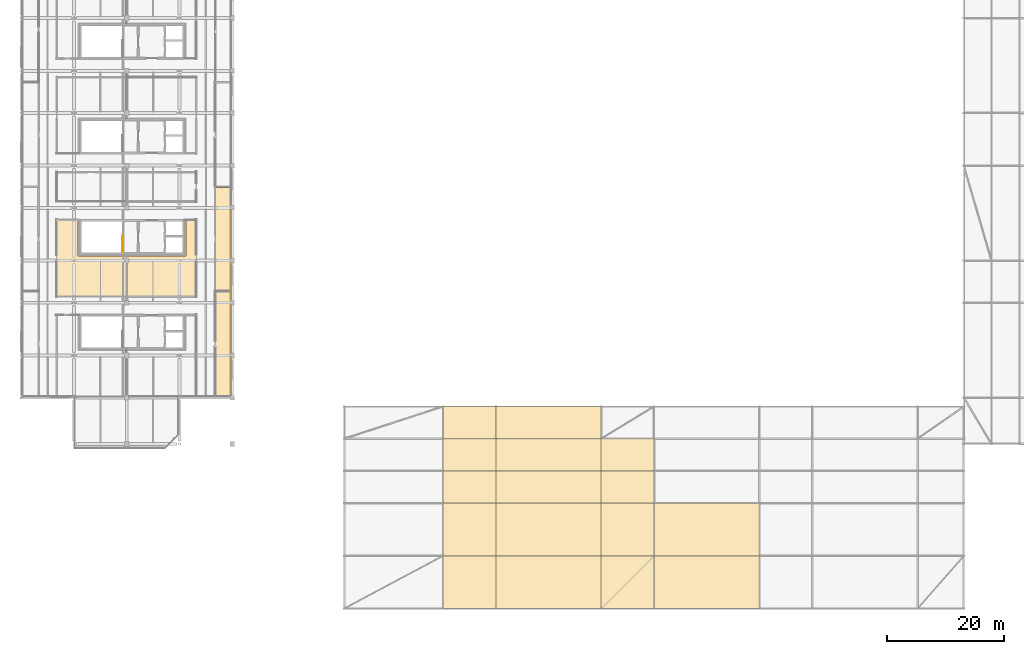
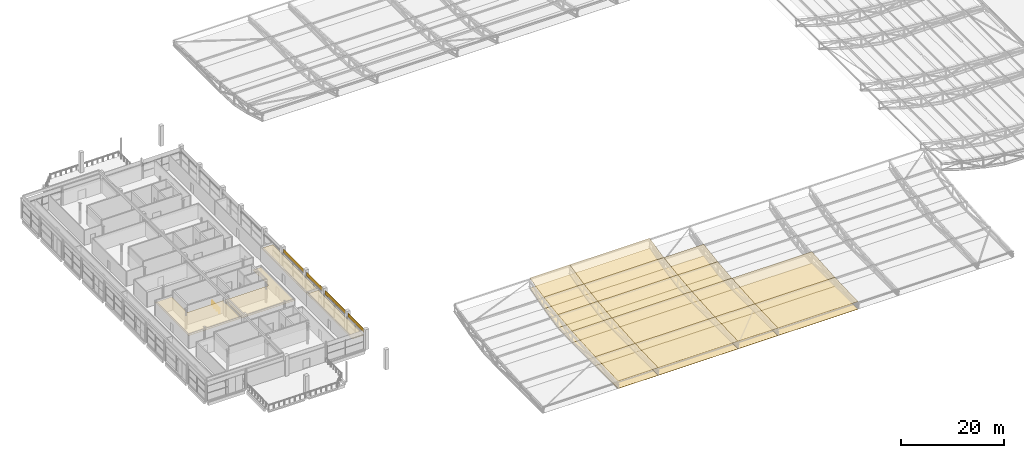
# One storey, part 108 of 114: 40 coverings, 1 railing, 2 elements without a shape of their own.
"""IFC4 building model written with IfcOpenShell, lengths in metres."""

from ifc_helpers import new_model, si_unit, direction, frame, origin, origin_2d, place, context, subcontext, project, spatial, polyline, rectangle, circle, outline, extrude, material, layer, layer_set, type_object, element, aggregate, save


model = new_model("IFC4")

# Units and contexts
model_context = context("Model", 3, precision=1e-05, world=origin(), true_north=direction((0.0, 1.0)))
body_context = subcontext(model_context, "Body", "Model", "MODEL_VIEW")
ifc_project = project(units=[si_unit("LENGTHUNIT", "METRE"), si_unit("AREAUNIT", "SQUARE_METRE"), si_unit("VOLUMEUNIT", "CUBIC_METRE"), si_unit("PLANEANGLEUNIT", "RADIAN"), si_unit("MASSUNIT", "GRAM", prefix="KILO"), si_unit("THERMODYNAMICTEMPERATUREUNIT", "KELVIN"), si_unit("POWERUNIT", "WATT")], contexts=[model_context])

# Site, building, storey
site_placement = place(None, origin())
site = spatial("IfcSite", under=ifc_project, at=site_placement, CompositionType="ELEMENT")
building_placement = place(site_placement, origin())
building = spatial("IfcBuilding", under=site, at=building_placement, Name="Sindhuravela Promenade Stadium", CompositionType="ELEMENT")
storey_placement = place(building_placement, frame((0.0, 0.0, 24.0)))
storey = spatial("IfcBuildingStorey", under=building, at=storey_placement, Name="L05", CompositionType="ELEMENT", Elevation=24.0)

# Coverings
ifc_material_1 = material(Name="Acoustic mineral-fibre ceiling tile", Category="gypsum")
ifc_layer_1 = layer(ifc_material_1, 0.02490234375)
ifc_layer_set_1 = layer_set([ifc_layer_1], Name="Acoustic mineral-fibre ceiling tile")
covering_type_1 = type_object("IfcCoveringType", Name="CV-CEIL-1", PredefinedType="CEILING", material=ifc_layer_set_1)
covering_1_placement = place(storey_placement, frame((0.0, 0.0, 3.050048828125)))
element("IfcCovering", 1, at=covering_1_placement, inside=storey, type_object=covering_type_1, Name="Acoustic ceiling Match Commentary Boxes 6", PredefinedType="CEILING", context=body_context, shape_type="SweptSolid", body=[
    extrude(outline(polyline([(35.699951171875, 45.320068359375), (35.699951171875, 45.318115234375), (35.69970703125, 45.316162109375), (35.69921875, 45.314208984375), (35.698486328125, 45.312255859375), (35.697509765625, 45.310546875), (35.696533203125, 45.308837890625), (35.695556640625, 45.307373046875), (35.694091796875, 45.305908203125), (35.692626953125, 45.304443359375), (35.691162109375, 45.303466796875), (35.689453125, 45.302490234375), (35.687744140625, 45.301513671875), (35.685791015625, 45.30078125), (35.683837890625, 45.30029296875), (35.681884765625, 45.300048828125), (35.679931640625, 45.300048828125), (33.139892578125, 45.300048828125), (33.137939453125, 45.300048828125), (33.135986328125, 45.30029296875), (33.13427734375, 45.30078125), (33.13232421875, 45.301513671875), (33.130615234375, 45.302490234375), (33.12890625, 45.303466796875), (33.127197265625, 45.304443359375), (33.1259765625, 45.305908203125), (33.12451171875, 45.307373046875), (33.123291015625, 45.308837890625), (33.122314453125, 45.310546875), (33.12158203125, 45.312255859375), (33.120849609375, 45.314208984375), (33.120361328125, 45.316162109375), (33.1201171875, 45.318115234375), (33.1201171875, 45.320068359375), (33.1201171875, 63.0400390625), (33.1201171875, 63.0419921875), (33.120361328125, 63.0439453125), (33.120849609375, 63.0458984375), (33.12158203125, 63.047607421875), (33.122314453125, 63.04931640625), (33.123291015625, 63.051025390625), (33.12451171875, 63.052734375), (33.1259765625, 63.05419921875), (33.127197265625, 63.055419921875), (33.12890625, 63.056640625), (33.130615234375, 63.0576171875), (33.13232421875, 63.05859375), (33.13427734375, 63.05908203125), (33.135986328125, 63.0595703125), (33.137939453125, 63.059814453125), (33.139892578125, 63.06005859375), (35.679931640625, 63.06005859375), (35.681884765625, 63.059814453125), (35.683837890625, 63.0595703125), (35.685791015625, 63.05908203125), (35.687744140625, 63.05859375), (35.689453125, 63.0576171875), (35.691162109375, 63.056640625), (35.692626953125, 63.055419921875), (35.694091796875, 63.05419921875), (35.695556640625, 63.052734375), (35.696533203125, 63.051025390625), (35.697509765625, 63.04931640625), (35.698486328125, 63.047607421875), (35.69921875, 63.0458984375), (35.69970703125, 63.0439453125), (35.699951171875, 63.0419921875), (35.699951171875, 63.0400390625), (35.699951171875, 45.320068359375)])), origin(), (0.0, 0.0, 1.0), 0.02490234375),
])
covering_2_placement = place(storey_placement, frame((0.0, 0.0, 3.050048828125)))
element("IfcCovering", 2, at=covering_2_placement, inside=storey, type_object=covering_type_1, Name="Acoustic ceiling Broadcast Technical Rack Room 8", PredefinedType="CEILING", context=body_context, shape_type="SweptSolid", body=[
    extrude(outline(polyline([(35.699951171875, 63.280029296875), (35.699951171875, 63.278076171875), (35.69970703125, 63.276123046875), (35.69921875, 63.274169921875), (35.698486328125, 63.272216796875), (35.697509765625, 63.2705078125), (35.696533203125, 63.268798828125), (35.695556640625, 63.267333984375), (35.694091796875, 63.265869140625), (35.692626953125, 63.264404296875), (35.691162109375, 63.263427734375), (35.689453125, 63.262451171875), (35.687744140625, 63.261474609375), (35.685791015625, 63.260986328125), (35.683837890625, 63.260498046875), (35.681884765625, 63.260009765625), (35.679931640625, 63.260009765625), (33.139892578125, 63.260009765625), (33.137939453125, 63.260009765625), (33.135986328125, 63.260498046875), (33.13427734375, 63.260986328125), (33.13232421875, 63.261474609375), (33.130615234375, 63.262451171875), (33.12890625, 63.263427734375), (33.127197265625, 63.264404296875), (33.1259765625, 63.265869140625), (33.12451171875, 63.267333984375), (33.123291015625, 63.268798828125), (33.122314453125, 63.2705078125), (33.12158203125, 63.272216796875), (33.120849609375, 63.274169921875), (33.120361328125, 63.276123046875), (33.1201171875, 63.278076171875), (33.1201171875, 63.280029296875), (33.1201171875, 80.8798828125), (33.1201171875, 80.882080078125), (33.120361328125, 80.8837890625), (33.120849609375, 80.8857421875), (33.12158203125, 80.8876953125), (33.122314453125, 80.889404296875), (33.123291015625, 80.89111328125), (33.12451171875, 80.892578125), (33.1259765625, 80.89404296875), (33.127197265625, 80.8955078125), (33.12890625, 80.896484375), (33.130615234375, 80.897705078125), (33.13232421875, 80.8984375), (33.13427734375, 80.899169921875), (33.135986328125, 80.899658203125), (33.137939453125, 80.89990234375), (33.139892578125, 80.89990234375), (35.679931640625, 80.89990234375), (35.681884765625, 80.89990234375), (35.683837890625, 80.899658203125), (35.685791015625, 80.899169921875), (35.687744140625, 80.8984375), (35.689453125, 80.897705078125), (35.691162109375, 80.896484375), (35.692626953125, 80.8955078125), (35.694091796875, 80.89404296875), (35.695556640625, 80.892578125), (35.696533203125, 80.89111328125), (35.697509765625, 80.889404296875), (35.698486328125, 80.8876953125), (35.69921875, 80.8857421875), (35.69970703125, 80.8837890625), (35.699951171875, 80.882080078125), (35.699951171875, 80.8798828125), (35.699951171875, 63.280029296875)])), origin(), (0.0, 0.0, 1.0), 0.02490234375),
])
ifc_layer_2 = layer(ifc_material_1, 0.044921875)
ifc_layer_set_2 = layer_set([ifc_layer_2], Name="Acoustic mineral-fibre ceiling tile")
covering_type_2 = type_object("IfcCoveringType", Name="CV-CEIL-2", PredefinedType="CEILING", material=ifc_layer_set_2)
covering_3_placement = place(storey_placement, frame((0.0, 0.0, 3.050048828125)))
element("IfcCovering", 3, at=covering_3_placement, inside=storey, type_object=covering_type_2, Name="Acoustic ceiling Television Broadcast Studio A", PredefinedType="CEILING", context=body_context, shape_type="SweptSolid", body=[
    extrude(outline(polyline([(6.0400390625, 62.27001953125), (6.0380859375, 62.27001953125), (6.0361328125, 62.2705078125), (6.0341796875, 62.27099609375), (6.0322265625, 62.271484375), (6.030517578125, 62.2724609375), (6.02880859375, 62.2734375), (6.02734375, 62.2744140625), (6.02587890625, 62.27587890625), (6.0244140625, 62.27734375), (6.0234375, 62.27880859375), (6.0224609375, 62.280517578125), (6.021484375, 62.2822265625), (6.02099609375, 62.2841796875), (6.0205078125, 62.2861328125), (6.02001953125, 62.2880859375), (6.02001953125, 62.2900390625), (6.02001953125, 75.31005859375), (6.02001953125, 75.31201171875), (6.0205078125, 75.31396484375), (6.02099609375, 75.31591796875), (6.021484375, 75.317626953125), (6.0224609375, 75.3193359375), (6.0234375, 75.321044921875), (6.0244140625, 75.32275390625), (6.02587890625, 75.32421875), (6.02734375, 75.325439453125), (6.02880859375, 75.32666015625), (6.030517578125, 75.32763671875), (6.0322265625, 75.32861328125), (6.0341796875, 75.3291015625), (6.0361328125, 75.32958984375), (6.0380859375, 75.329833984375), (6.0400390625, 75.330078125), (9.699951171875, 75.330078125), (9.701904296875, 75.329833984375), (9.703857421875, 75.32958984375), (9.705810546875, 75.3291015625), (9.707763671875, 75.32861328125), (9.70947265625, 75.32763671875), (9.711181640625, 75.32666015625), (9.712646484375, 75.325439453125), (9.714111328125, 75.32421875), (9.715576171875, 75.32275390625), (9.716552734375, 75.321044921875), (9.717529296875, 75.3193359375), (9.718505859375, 75.317626953125), (9.718994140625, 75.31591796875), (9.719482421875, 75.31396484375), (9.719970703125, 75.31201171875), (9.719970703125, 75.31005859375), (9.719970703125, 69.219970703125), (17.830078125, 69.219970703125), (17.83203125, 69.219970703125), (17.833984375, 69.219482421875), (17.835693359375, 69.218994140625), (17.837646484375, 69.218505859375), (17.83935546875, 69.217529296875), (17.841064453125, 69.216552734375), (17.8427734375, 69.215576171875), (17.843994140625, 69.214111328125), (17.845458984375, 69.212646484375), (17.8466796875, 69.211181640625), (17.84765625, 69.20947265625), (17.848388671875, 69.207763671875), (17.84912109375, 69.205810546875), (17.849609375, 69.203857421875), (17.849853515625, 69.201904296875), (17.85009765625, 69.199951171875), (17.85009765625, 62.2900390625), (17.849853515625, 62.2880859375), (17.849609375, 62.2861328125), (17.84912109375, 62.2841796875), (17.848388671875, 62.2822265625), (17.84765625, 62.280517578125), (17.8466796875, 62.27880859375), (17.845458984375, 62.27734375), (17.843994140625, 62.27587890625), (17.8427734375, 62.2744140625), (17.841064453125, 62.2734375), (17.83935546875, 62.2724609375), (17.837646484375, 62.271484375), (17.835693359375, 62.27099609375), (17.833984375, 62.2705078125), (17.83203125, 62.27001953125), (17.830078125, 62.27001953125), (6.0400390625, 62.27001953125)])), origin(), (0.0, 0.0, 1.0), 0.044921875),
])
covering_4_placement = place(storey_placement, frame((0.0, 0.0, 3.050048828125)))
element("IfcCovering", 4, at=covering_4_placement, inside=storey, type_object=covering_type_2, Name="Acoustic ceiling Broadcast Technical Rack Room", PredefinedType="CEILING", context=body_context, shape_type="SweptSolid", body=[
    extrude(outline(polyline([(28.080078125, 75.31005859375), (28.080078125, 75.31201171875), (28.080322265625, 75.31396484375), (28.080810546875, 75.31591796875), (28.08154296875, 75.317626953125), (28.08251953125, 75.3193359375), (28.08349609375, 75.321044921875), (28.08447265625, 75.32275390625), (28.0859375, 75.32421875), (28.08740234375, 75.325439453125), (28.0888671875, 75.32666015625), (28.090576171875, 75.32763671875), (28.09228515625, 75.32861328125), (28.09423828125, 75.3291015625), (28.09619140625, 75.32958984375), (28.097900390625, 75.329833984375), (28.10009765625, 75.330078125), (29.860107421875, 75.330078125), (29.862060546875, 75.329833984375), (29.864013671875, 75.32958984375), (29.86572265625, 75.3291015625), (29.86767578125, 75.32861328125), (29.869384765625, 75.32763671875), (29.87109375, 75.32666015625), (29.872802734375, 75.325439453125), (29.8740234375, 75.32421875), (29.87548828125, 75.32275390625), (29.876708984375, 75.321044921875), (29.877685546875, 75.3193359375), (29.87841796875, 75.317626953125), (29.879150390625, 75.31591796875), (29.879638671875, 75.31396484375), (29.8798828125, 75.31201171875), (29.8798828125, 75.31005859375), (29.8798828125, 62.2900390625), (29.8798828125, 62.2880859375), (29.879638671875, 62.2861328125), (29.879150390625, 62.2841796875), (29.87841796875, 62.2822265625), (29.877685546875, 62.280517578125), (29.876708984375, 62.27880859375), (29.87548828125, 62.27734375), (29.8740234375, 62.27587890625), (29.872802734375, 62.2744140625), (29.87109375, 62.2734375), (29.869384765625, 62.2724609375), (29.86767578125, 62.271484375), (29.86572265625, 62.27099609375), (29.864013671875, 62.2705078125), (29.862060546875, 62.27001953125), (29.860107421875, 62.27001953125), (18.070068359375, 62.27001953125), (18.068115234375, 62.27001953125), (18.066162109375, 62.2705078125), (18.064208984375, 62.27099609375), (18.062255859375, 62.271484375), (18.060546875, 62.2724609375), (18.058837890625, 62.2734375), (18.057373046875, 62.2744140625), (18.055908203125, 62.27587890625), (18.054443359375, 62.27734375), (18.053466796875, 62.27880859375), (18.052490234375, 62.280517578125), (18.051513671875, 62.2822265625), (18.05078125, 62.2841796875), (18.05029296875, 62.2861328125), (18.050048828125, 62.2880859375), (18.050048828125, 62.2900390625), (18.050048828125, 69.199951171875), (18.050048828125, 69.201904296875), (18.05029296875, 69.203857421875), (18.05078125, 69.205810546875), (18.051513671875, 69.207763671875), (18.052490234375, 69.20947265625), (18.053466796875, 69.211181640625), (18.054443359375, 69.212646484375), (18.055908203125, 69.214111328125), (18.057373046875, 69.215576171875), (18.058837890625, 69.216552734375), (18.060546875, 69.217529296875), (18.062255859375, 69.218505859375), (18.064208984375, 69.218994140625), (18.066162109375, 69.219482421875), (18.068115234375, 69.219970703125), (18.070068359375, 69.219970703125), (28.080078125, 69.219970703125), (28.080078125, 75.31005859375)])), origin(), (0.0, 0.0, 1.0), 0.044921875),
])

# Roof, coverings
ifc_material_2 = material(Name="Standing-seam zinc-aluminium roof sheet", Category="aluminium")
roof_type = type_object("IfcRoofType", Name="RF-BARREL-S", PredefinedType="BARREL_ROOF", material=ifc_material_2)
roof_1_placement = place(storey_placement, origin())
roof_1 = element("IfcRoof", 5, at=roof_1_placement, inside=storey, type_object=roof_type, Name="Cantilevered stand roof assembly S-1", PredefinedType="BARREL_ROOF")
ifc_layer_3 = layer(ifc_material_2, 0.044921875)
ifc_layer_set_3 = layer_set([ifc_layer_3], Name="Standing-seam zinc-aluminium roof sheet")
covering_type_3 = type_object("IfcCoveringType", Name="CV-ROOF-S", PredefinedType="ROOFING", material=ifc_layer_set_3)
covering_5_placement = place(storey_placement, frame((72.0, 9.0, 1.510009765625), z_axis=(0.0, -0.03632583546850815, 0.9993399990381227), x_axis=(1.0, 0.0, 0.0)))
covering_5 = element("IfcCovering", 6, at=covering_5_placement, type_object=covering_type_3, Name="Standing-seam roof covering S bay 2.1", PredefinedType="ROOFING", context=body_context, shape_type="SweptSolid", body=[
    extrude(outline(polyline([(0.0, 0.0), (9.0, 0.0), (9.0, 9.005943931657509), (0.0, 9.005943931657509), (0.0, 0.0)])), origin(), (0.0, 0.0, -1.0), 0.044921875),
])
covering_6_placement = place(storey_placement, frame((72.0, 18.0, 1.837158203125), z_axis=(0.0, -0.07048937017679614, 0.9975125305940165), x_axis=(1.0, 0.0, 0.0)))
covering_6 = element("IfcCovering", 7, at=covering_6_placement, type_object=covering_type_3, Name="Standing-seam roof covering S bay 2.2", PredefinedType="ROOFING", context=body_context, shape_type="SweptSolid", body=[
    extrude(outline(polyline([(0.0, 0.0), (9.0, 0.0), (9.0, 9.022443051056733), (0.0, 9.022443051056733), (0.0, 0.0)])), origin(), (0.0, 0.0, -1.0), 0.044921875),
])
covering_7_placement = place(storey_placement, frame((72.0, 27.0, 2.47314453125), z_axis=(0.0, -0.1065455909441987, 0.9943078180575428), x_axis=(1.0, 0.0, 0.0)))
covering_7 = element("IfcCovering", 8, at=covering_7_placement, type_object=covering_type_3, Name="Standing-seam roof covering S bay 2.3", PredefinedType="ROOFING", context=body_context, shape_type="SweptSolid", body=[
    extrude(outline(polyline([(0.0, 0.0), (9.0, 0.0), (9.0, 5.531486226010649), (0.0, 5.531486226010649), (0.0, 0.0)])), origin(), (0.0, 0.0, -1.0), 0.044921875),
])
covering_8_placement = place(storey_placement, frame((72.0, 32.5, 3.0625), z_axis=(0.0, -0.14687168523012892, 0.9891555530237203), x_axis=(1.0, 0.0, 0.0)))
covering_8 = element("IfcCovering", 9, at=covering_8_placement, type_object=covering_type_3, Name="Standing-seam roof covering S bay 2.4", PredefinedType="ROOFING", context=body_context, shape_type="SweptSolid", body=[
    extrude(outline(polyline([(0.0, 0.0), (9.0, 0.0), (9.0, 5.560298360745398), (0.0, 5.560298360745398), (0.0, 0.0)])), origin(), (0.0, 0.0, -1.0), 0.044921875),
])
covering_9_placement = place(storey_placement, frame((72.0, 38.0, 3.879150390625), z_axis=(0.0, -0.2184070831753663, 0.9758577488644689), x_axis=(1.0, 0.0, 0.0)))
covering_9 = element("IfcCovering", 10, at=covering_9_placement, type_object=covering_type_3, Name="Standing-seam roof covering S bay 2.5", PredefinedType="ROOFING", context=body_context, shape_type="SweptSolid", body=[
    extrude(outline(polyline([(0.0, 0.0), (9.0, 0.0), (9.0, 5.6360673534640995), (0.0, 5.6360673534640995), (0.0, 0.0)])), origin(), (0.0, 0.0, -1.0), 0.044921875),
])
covering_10_placement = place(storey_placement, frame((81.0, 9.0, 1.510009765625), z_axis=(0.0, -0.03632583546850815, 0.9993399990381227), x_axis=(1.0, 0.0, 0.0)))
covering_10 = element("IfcCovering", 11, at=covering_10_placement, type_object=covering_type_3, Name="Standing-seam roof covering S bay 3.1", PredefinedType="ROOFING", context=body_context, shape_type="SweptSolid", body=[
    extrude(outline(polyline([(0.0, 0.0), (18.0, 0.0), (18.0, 9.005943931657509), (0.0, 9.005943931657509), (0.0, 0.0)])), origin(), (0.0, 0.0, -1.0), 0.044921875),
])
covering_11_placement = place(storey_placement, frame((81.0, 18.0, 1.837158203125), z_axis=(0.0, -0.07048937017679614, 0.9975125305940165), x_axis=(1.0, 0.0, 0.0)))
covering_11 = element("IfcCovering", 12, at=covering_11_placement, type_object=covering_type_3, Name="Standing-seam roof covering S bay 3.2", PredefinedType="ROOFING", context=body_context, shape_type="SweptSolid", body=[
    extrude(outline(polyline([(0.0, 0.0), (18.0, 0.0), (18.0, 9.022443051056733), (0.0, 9.022443051056733), (0.0, 0.0)])), origin(), (0.0, 0.0, -1.0), 0.044921875),
])
covering_12_placement = place(storey_placement, frame((81.0, 27.0, 2.47314453125), z_axis=(0.0, -0.1065455909441987, 0.9943078180575428), x_axis=(1.0, 0.0, 0.0)))
covering_12 = element("IfcCovering", 13, at=covering_12_placement, type_object=covering_type_3, Name="Standing-seam roof covering S bay 3.3", PredefinedType="ROOFING", context=body_context, shape_type="SweptSolid", body=[
    extrude(outline(polyline([(0.0, 0.0), (18.0, 0.0), (18.0, 5.531486226010649), (0.0, 5.531486226010649), (0.0, 0.0)])), origin(), (0.0, 0.0, -1.0), 0.044921875),
])
covering_13_placement = place(storey_placement, frame((81.0, 32.5, 3.0625), z_axis=(0.0, -0.14687168523012892, 0.9891555530237203), x_axis=(1.0, 0.0, 0.0)))
covering_13 = element("IfcCovering", 14, at=covering_13_placement, type_object=covering_type_3, Name="Standing-seam roof covering S bay 3.4", PredefinedType="ROOFING", context=body_context, shape_type="SweptSolid", body=[
    extrude(outline(polyline([(0.0, 0.0), (18.0, 0.0), (18.0, 5.560298360745398), (0.0, 5.560298360745398), (0.0, 0.0)])), origin(), (0.0, 0.0, -1.0), 0.044921875),
])
covering_14_placement = place(storey_placement, frame((81.0, 38.0, 3.879150390625), z_axis=(0.0, -0.2184070831753663, 0.9758577488644689), x_axis=(1.0, 0.0, 0.0)))
covering_14 = element("IfcCovering", 15, at=covering_14_placement, type_object=covering_type_3, Name="Standing-seam roof covering S bay 3.5", PredefinedType="ROOFING", context=body_context, shape_type="SweptSolid", body=[
    extrude(outline(polyline([(0.0, 0.0), (18.0, 0.0), (18.0, 5.6360673534640995), (0.0, 5.6360673534640995), (0.0, 0.0)])), origin(), (0.0, 0.0, -1.0), 0.044921875),
])
covering_15_placement = place(storey_placement, frame((99.0, 9.0, 1.510009765625), z_axis=(0.0, -0.03632583546850815, 0.9993399990381227), x_axis=(1.0, 0.0, 0.0)))
covering_15 = element("IfcCovering", 16, at=covering_15_placement, type_object=covering_type_3, Name="Standing-seam roof covering S bay 4.1", PredefinedType="ROOFING", context=body_context, shape_type="SweptSolid", body=[
    extrude(outline(polyline([(0.0, 0.0), (9.0, 0.0), (9.0, 9.005943931657509), (0.0, 9.005943931657509), (0.0, 0.0)])), origin(), (0.0, 0.0, -1.0), 0.044921875),
])
covering_16_placement = place(storey_placement, frame((99.0, 18.0, 1.837158203125), z_axis=(0.0, -0.07048937017679614, 0.9975125305940165), x_axis=(1.0, 0.0, 0.0)))
covering_16 = element("IfcCovering", 17, at=covering_16_placement, type_object=covering_type_3, Name="Standing-seam roof covering S bay 4.2", PredefinedType="ROOFING", context=body_context, shape_type="SweptSolid", body=[
    extrude(outline(polyline([(0.0, 0.0), (9.0, 0.0), (9.0, 9.022443051056733), (0.0, 9.022443051056733), (0.0, 0.0)])), origin(), (0.0, 0.0, -1.0), 0.044921875),
])
covering_17_placement = place(storey_placement, frame((99.0, 27.0, 2.47314453125), z_axis=(0.0, -0.1065455909441987, 0.9943078180575428), x_axis=(1.0, 0.0, 0.0)))
covering_17 = element("IfcCovering", 18, at=covering_17_placement, type_object=covering_type_3, Name="Standing-seam roof covering S bay 4.3", PredefinedType="ROOFING", context=body_context, shape_type="SweptSolid", body=[
    extrude(outline(polyline([(0.0, 0.0), (9.0, 0.0), (9.0, 5.531486226010649), (0.0, 5.531486226010649), (0.0, 0.0)])), origin(), (0.0, 0.0, -1.0), 0.044921875),
])
covering_18_placement = place(storey_placement, frame((99.0, 32.5, 3.0625), z_axis=(0.0, -0.14687168523012892, 0.9891555530237203), x_axis=(1.0, 0.0, 0.0)))
covering_18 = element("IfcCovering", 19, at=covering_18_placement, type_object=covering_type_3, Name="Standing-seam roof covering S bay 4.4", PredefinedType="ROOFING", context=body_context, shape_type="SweptSolid", body=[
    extrude(outline(polyline([(0.0, 0.0), (9.0, 0.0), (9.0, 5.560298360745398), (0.0, 5.560298360745398), (0.0, 0.0)])), origin(), (0.0, 0.0, -1.0), 0.044921875),
])
aggregate(roof_1, [covering_5, covering_6, covering_7, covering_8, covering_9, covering_10, covering_11, covering_12, covering_13, covering_14, covering_15, covering_16, covering_17, covering_18])

roof_2_placement = place(storey_placement, origin())
roof_2 = element("IfcRoof", 20, at=roof_2_placement, inside=storey, type_object=roof_type, Name="Cantilevered stand roof assembly S-2", PredefinedType="BARREL_ROOF")
covering_19_placement = place(storey_placement, frame((108.0, 9.0, 1.510009765625), z_axis=(0.0, -0.03632583546850815, 0.9993399990381227), x_axis=(1.0, 0.0, 0.0)))
covering_19 = element("IfcCovering", 21, at=covering_19_placement, type_object=covering_type_3, Name="Standing-seam roof covering S bay 5.1", PredefinedType="ROOFING", context=body_context, shape_type="SweptSolid", body=[
    extrude(outline(polyline([(0.0, 0.0), (18.0, 0.0), (18.0, 9.005943931657509), (0.0, 9.005943931657509), (0.0, 0.0)])), origin(), (0.0, 0.0, -1.0), 0.044921875),
])
covering_20_placement = place(storey_placement, frame((108.0, 18.0, 1.837158203125), z_axis=(0.0, -0.07048937017679614, 0.9975125305940165), x_axis=(1.0, 0.0, 0.0)))
covering_20 = element("IfcCovering", 22, at=covering_20_placement, type_object=covering_type_3, Name="Standing-seam roof covering S bay 5.2", PredefinedType="ROOFING", context=body_context, shape_type="SweptSolid", body=[
    extrude(outline(polyline([(0.0, 0.0), (18.0, 0.0), (18.0, 9.022443051056733), (0.0, 9.022443051056733), (0.0, 0.0)])), origin(), (0.0, 0.0, -1.0), 0.044921875),
])
aggregate(roof_2, [covering_19, covering_20])

# Coverings
ifc_material_3 = material(Name="White PVDF aluminium soffit cladding", Category="aluminium")
ifc_layer_4 = layer(ifc_material_3, 0.034912109375)
ifc_layer_set_4 = layer_set([ifc_layer_4], Name="White PVDF aluminium soffit cladding")
covering_type_4 = type_object("IfcCoveringType", Name="CV-SOFFIT-S", PredefinedType="CEILING", material=ifc_layer_set_4)
for number, where, z_axis, x_axis, name in (
    (23, (72.0, 9.0, -0.300048828125), (0.0, 0.0, 1.0), (1.0, 0.0, 0.0), "Smooth white canopy soffit cladding S bay 2.1"),
    (24, (72.0, 18.0, -0.300048828125), (0.0, 0.0, 1.0), (1.0, 0.0, 0.0), "Smooth white canopy soffit cladding S bay 2.2"),
):
    element("IfcCovering", number, at=place(storey_placement, frame(where, z_axis=z_axis, x_axis=x_axis)), inside=storey, type_object=covering_type_4, Name=name, PredefinedType="CEILING", context=body_context, shape_type="SweptSolid", body=[
        extrude(outline(polyline([(0.0, 0.0), (9.0, 0.0), (9.0, 9.0), (0.0, 9.0), (0.0, 0.0)])), origin(), (0.0, 0.0, -1.0), 0.034912109375),
    ])
covering_21_placement = place(storey_placement, frame((72.0, 27.0, -0.300048828125), z_axis=(0.0, -0.04133538022189949, 0.9991453279387894), x_axis=(1.0, 0.0, 0.0)))
element("IfcCovering", 25, at=covering_21_placement, inside=storey, type_object=covering_type_4, Name="Smooth white canopy soffit cladding S bay 2.3", PredefinedType="CEILING", context=body_context, shape_type="SweptSolid", body=[
    extrude(outline(polyline([(0.0, 0.0), (9.0, 0.0), (9.0, 5.5047047173271135), (0.0, 5.5047047173271135), (0.0, 0.0)])), origin(), (0.0, 0.0, -1.0), 0.034912109375),
])
covering_22_placement = place(storey_placement, frame((72.0, 32.5, -0.072509765625), z_axis=(0.0, -0.21175058451368897, 0.9773237385626685), x_axis=(1.0, 0.0, 0.0)))
element("IfcCovering", 26, at=covering_22_placement, inside=storey, type_object=covering_type_4, Name="Smooth white canopy soffit cladding S bay 2.4", PredefinedType="CEILING", context=body_context, shape_type="SweptSolid", body=[
    extrude(outline(polyline([(0.0, 0.0), (9.0, 0.0), (9.0, 5.627613228845486), (0.0, 5.627613228845486), (0.0, 0.0)])), origin(), (0.0, 0.0, -1.0), 0.034912109375),
])
covering_23_placement = place(storey_placement, frame((72.0, 38.0, 1.119140625), z_axis=(0.0, -0.28028796219145374, 0.9599159641606978), x_axis=(1.0, 0.0, 0.0)))
element("IfcCovering", 27, at=covering_23_placement, inside=storey, type_object=covering_type_4, Name="Smooth white canopy soffit cladding S bay 2.5", PredefinedType="CEILING", context=body_context, shape_type="SweptSolid", body=[
    extrude(outline(polyline([(0.0, 0.0), (9.0, 0.0), (9.0, 5.729668226539937), (0.0, 5.729668226539937), (0.0, 0.0)])), origin(), (0.0, 0.0, -1.0), 0.034912109375),
])
for number, where, z_axis, x_axis, name in (
    (28, (81.0, 9.0, -0.300048828125), (0.0, 0.0, 1.0), (1.0, 0.0, 0.0), "Smooth white canopy soffit cladding S bay 3.1"),
    (29, (81.0, 18.0, -0.300048828125), (0.0, 0.0, 1.0), (1.0, 0.0, 0.0), "Smooth white canopy soffit cladding S bay 3.2"),
):
    element("IfcCovering", number, at=place(storey_placement, frame(where, z_axis=z_axis, x_axis=x_axis)), inside=storey, type_object=covering_type_4, Name=name, PredefinedType="CEILING", context=body_context, shape_type="SweptSolid", body=[
        extrude(outline(polyline([(0.0, 0.0), (18.0, 0.0), (18.0, 9.0), (0.0, 9.0), (0.0, 0.0)])), origin(), (0.0, 0.0, -1.0), 0.034912109375),
    ])
covering_24_placement = place(storey_placement, frame((81.0, 27.0, -0.300048828125), z_axis=(0.0, -0.04133538022189949, 0.9991453279387894), x_axis=(1.0, 0.0, 0.0)))
element("IfcCovering", 30, at=covering_24_placement, inside=storey, type_object=covering_type_4, Name="Smooth white canopy soffit cladding S bay 3.3", PredefinedType="CEILING", context=body_context, shape_type="SweptSolid", body=[
    extrude(outline(polyline([(0.0, 0.0), (18.0, 0.0), (18.0, 5.5047047173271135), (0.0, 5.5047047173271135), (0.0, 0.0)])), origin(), (0.0, 0.0, -1.0), 0.034912109375),
])
covering_25_placement = place(storey_placement, frame((81.0, 32.5, -0.072509765625), z_axis=(0.0, -0.21175058451368897, 0.9773237385626685), x_axis=(1.0, 0.0, 0.0)))
element("IfcCovering", 31, at=covering_25_placement, inside=storey, type_object=covering_type_4, Name="Smooth white canopy soffit cladding S bay 3.4", PredefinedType="CEILING", context=body_context, shape_type="SweptSolid", body=[
    extrude(outline(polyline([(0.0, 0.0), (18.0, 0.0), (18.0, 5.627613228845486), (0.0, 5.627613228845486), (0.0, 0.0)])), origin(), (0.0, 0.0, -1.0), 0.034912109375),
])
covering_26_placement = place(storey_placement, frame((81.0, 38.0, 1.119140625), z_axis=(0.0, -0.28028796219145374, 0.9599159641606978), x_axis=(1.0, 0.0, 0.0)))
element("IfcCovering", 32, at=covering_26_placement, inside=storey, type_object=covering_type_4, Name="Smooth white canopy soffit cladding S bay 3.5", PredefinedType="CEILING", context=body_context, shape_type="SweptSolid", body=[
    extrude(outline(polyline([(0.0, 0.0), (18.0, 0.0), (18.0, 5.729668226539937), (0.0, 5.729668226539937), (0.0, 0.0)])), origin(), (0.0, 0.0, -1.0), 0.034912109375),
])
for number, where, z_axis, x_axis, name in (
    (33, (99.0, 9.0, -0.300048828125), (0.0, 0.0, 1.0), (1.0, 0.0, 0.0), "Smooth white canopy soffit cladding S bay 4.1"),
    (34, (99.0, 18.0, -0.300048828125), (0.0, 0.0, 1.0), (1.0, 0.0, 0.0), "Smooth white canopy soffit cladding S bay 4.2"),
):
    element("IfcCovering", number, at=place(storey_placement, frame(where, z_axis=z_axis, x_axis=x_axis)), inside=storey, type_object=covering_type_4, Name=name, PredefinedType="CEILING", context=body_context, shape_type="SweptSolid", body=[
        extrude(outline(polyline([(0.0, 0.0), (9.0, 0.0), (9.0, 9.0), (0.0, 9.0), (0.0, 0.0)])), origin(), (0.0, 0.0, -1.0), 0.034912109375),
    ])
covering_27_placement = place(storey_placement, frame((99.0, 27.0, -0.300048828125), z_axis=(0.0, -0.04133538022189949, 0.9991453279387894), x_axis=(1.0, 0.0, 0.0)))
element("IfcCovering", 35, at=covering_27_placement, inside=storey, type_object=covering_type_4, Name="Smooth white canopy soffit cladding S bay 4.3", PredefinedType="CEILING", context=body_context, shape_type="SweptSolid", body=[
    extrude(outline(polyline([(0.0, 0.0), (9.0, 0.0), (9.0, 5.5047047173271135), (0.0, 5.5047047173271135), (0.0, 0.0)])), origin(), (0.0, 0.0, -1.0), 0.034912109375),
])
covering_28_placement = place(storey_placement, frame((99.0, 32.5, -0.072509765625), z_axis=(0.0, -0.21175058451368897, 0.9773237385626685), x_axis=(1.0, 0.0, 0.0)))
element("IfcCovering", 36, at=covering_28_placement, inside=storey, type_object=covering_type_4, Name="Smooth white canopy soffit cladding S bay 4.4", PredefinedType="CEILING", context=body_context, shape_type="SweptSolid", body=[
    extrude(outline(polyline([(0.0, 0.0), (9.0, 0.0), (9.0, 5.627613228845486), (0.0, 5.627613228845486), (0.0, 0.0)])), origin(), (0.0, 0.0, -1.0), 0.034912109375),
])
for number, where, z_axis, x_axis, name in (
    (37, (108.0, 9.0, -0.300048828125), (0.0, 0.0, 1.0), (1.0, 0.0, 0.0), "Smooth white canopy soffit cladding S bay 5.1"),
    (38, (108.0, 18.0, -0.300048828125), (0.0, 0.0, 1.0), (1.0, 0.0, 0.0), "Smooth white canopy soffit cladding S bay 5.2"),
):
    element("IfcCovering", number, at=place(storey_placement, frame(where, z_axis=z_axis, x_axis=x_axis)), inside=storey, type_object=covering_type_4, Name=name, PredefinedType="CEILING", context=body_context, shape_type="SweptSolid", body=[
        extrude(outline(polyline([(0.0, 0.0), (18.0, 0.0), (18.0, 9.0), (0.0, 9.0), (0.0, 0.0)])), origin(), (0.0, 0.0, -1.0), 0.034912109375),
    ])
ifc_material_4 = material(Name="Polychrome trencadis ceramic mosaic", Category="masonry")
ifc_layer_5 = layer(ifc_material_4, 0.034912109375)
ifc_layer_set_5 = layer_set([ifc_layer_5], Name="Polychrome trencadis ceramic mosaic")
covering_type_5 = type_object("IfcCoveringType", Name="CV-TRENC-1", PredefinedType="CLADDING", material=ifc_layer_set_5)
for number, where, z_axis, x_axis, name in (
    (39, (35.820068359375, 72.89990234375, 3.55517578125), (0.0, 0.0, 1.0), (0.0, -1.0, 0.0), "Trencadis ceramic mosaic spandrel frieze WEST L05-136"),
    (40, (35.820068359375, 56.699951171875, 3.55517578125), (0.0, 0.0, 1.0), (0.0, -1.0, 0.0), "Trencadis ceramic mosaic spandrel frieze WEST L05-138"),
):
    element("IfcCovering", number, at=place(storey_placement, frame(where, z_axis=z_axis, x_axis=x_axis)), inside=storey, type_object=covering_type_5, Name=name, PredefinedType="CLADDING", context=body_context, shape_type="SweptSolid", body=[
        extrude(rectangle(XDim=8.070068359375, YDim=0.034912109375, at=origin_2d()), origin(), (0.0, 0.0, 1.0), 0.905029296875),
    ])
ifc_layer_6 = layer(ifc_material_4, 0.050048828125)
ifc_layer_set_6 = layer_set([ifc_layer_6], Name="Polychrome trencadis ceramic mosaic")
covering_type_6 = type_object("IfcCoveringType", Name="CV-TRENC-2", PredefinedType="CLADDING", material=ifc_layer_set_6)
for number, where, z_axis, x_axis, name in (
    (41, (35.820068359375, 64.800048828125, 3.55517578125), (0.0, 0.0, 1.0), (0.0, -1.0, 0.0), "Trencadis ceramic mosaic spandrel frieze WEST L05-137"),
    (42, (35.820068359375, 48.60009765625, 3.55517578125), (0.0, 0.0, 1.0), (0.0, -1.0, 0.0), "Trencadis ceramic mosaic spandrel frieze WEST L05-139"),
):
    element("IfcCovering", number, at=place(storey_placement, frame(where, z_axis=z_axis, x_axis=x_axis)), inside=storey, type_object=covering_type_6, Name=name, PredefinedType="CLADDING", context=body_context, shape_type="SweptSolid", body=[
        extrude(rectangle(XDim=6.27001953125, YDim=0.050048828125, at=origin_2d()), origin(), (0.0, 0.0, 1.0), 0.905029296875),
    ])

# Railing
ifc_material_5 = material(Name="Architectural wrought steel E350", Category="steel")
railing_type = type_object("IfcRailingType", Name="RL-GRD-1150", PredefinedType="GUARDRAIL", material=ifc_material_5)
railing_placement = place(storey_placement, frame((17.280029296875, 69.760009765625, 0.0)))
element("IfcRailing", 43, at=railing_placement, inside=storey, type_object=railing_type, Name="Stair ST02 top landing well guard (L05)", PredefinedType="GUARDRAIL", context=body_context, shape_type="SweptSolid", body=[
    extrude(circle(Radius=0.02392578125, at=origin_2d()), frame((0.0, 0.0, 1.1259765625), z_axis=(0.0, 1.0, 0.0), x_axis=(-1.0, 0.0, 0.0)), (0.0, 0.0, 1.0), 2.830078125),
    extrude(circle(Radius=0.02099609375, at=origin_2d()), origin(), (0.0, 0.0, 1.0), 1.101806640625),
    extrude(circle(Radius=0.02099609375, at=origin_2d()), frame((0.0, 0.943359375, 0.0)), (0.0, 0.0, 1.0), 1.101806640625),
    extrude(circle(Radius=0.02099609375, at=origin_2d()), frame((0.0, 1.88671875, 0.0)), (0.0, 0.0, 1.0), 1.101806640625),
    extrude(circle(Radius=0.02099609375, at=origin_2d()), frame((0.0, 2.830078125, 0.0)), (0.0, 0.0, 1.0), 1.101806640625),
])

save(model, "model.ifc")
